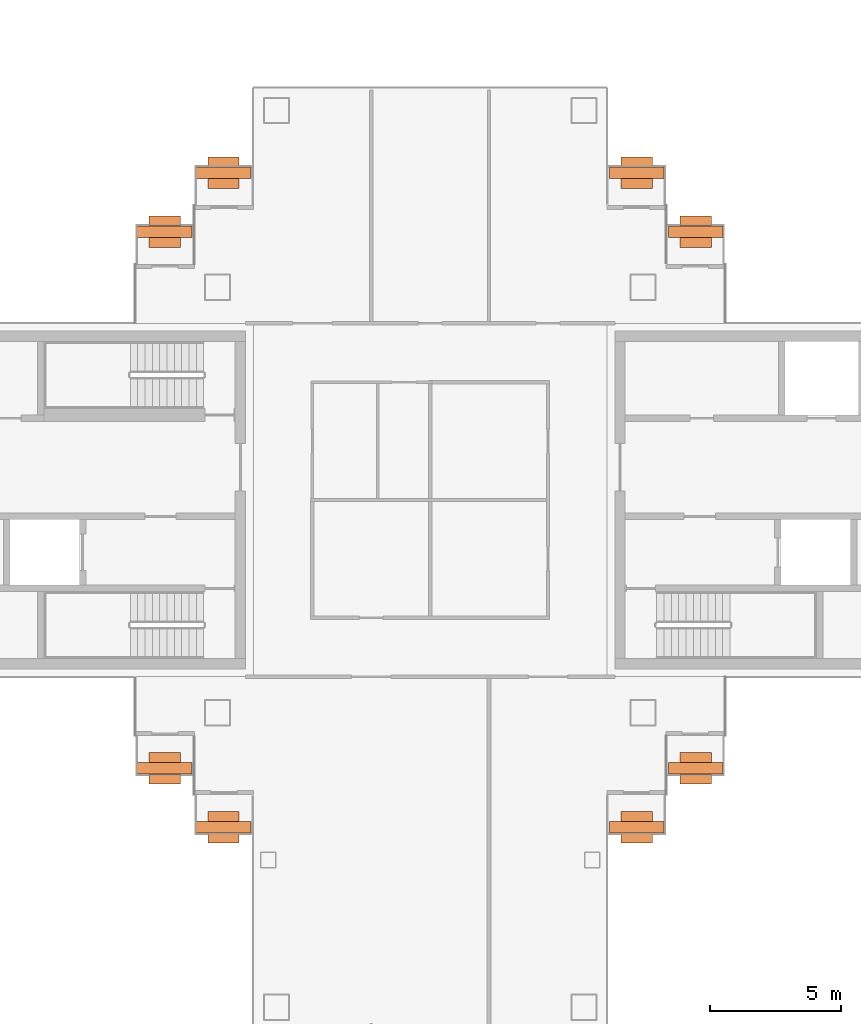
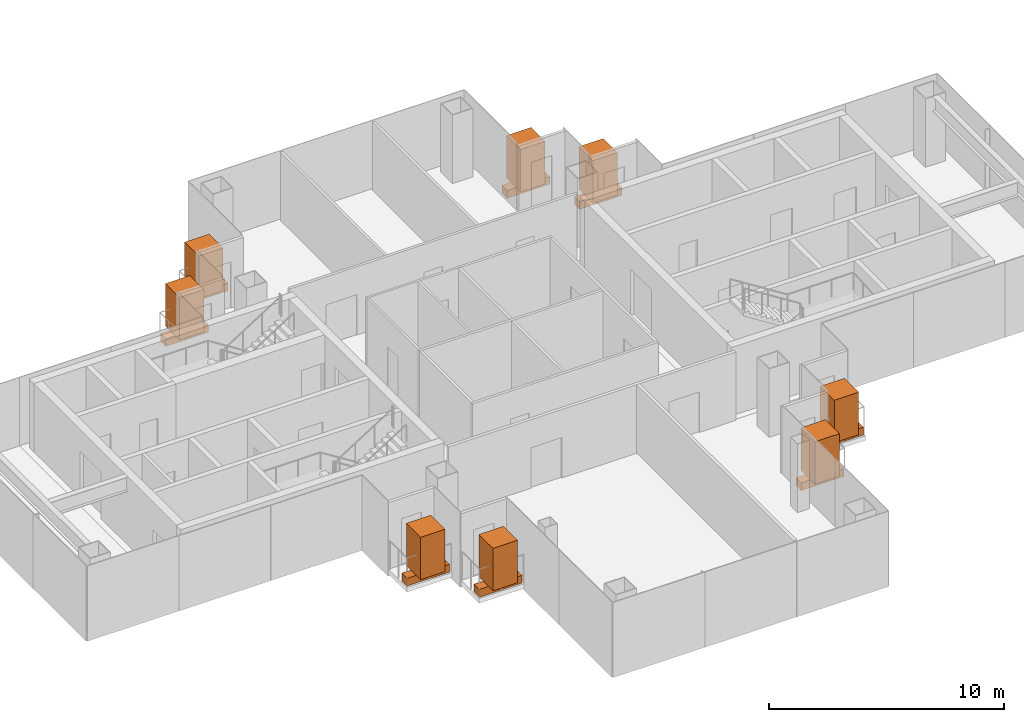
# One storey, part 15 of 15: 8 geographic elements, 8 proxies.
"""IFC4 building model written with IfcOpenShell, lengths in metres."""

from ifc_helpers import new_model, si_unit, direction, frame, origin, origin_2d, place, context, subcontext, project, spatial, rectangle, extrude, material, type_object, element, save


model = new_model("IFC4")

# Units and contexts
model_context = context("Model", 3, precision=1e-05, world=origin(), true_north=direction((0.0, 1.0)))
body_context = subcontext(model_context, "Body", "Model", "MODEL_VIEW")
ifc_project = project(units=[si_unit("LENGTHUNIT", "METRE"), si_unit("AREAUNIT", "SQUARE_METRE"), si_unit("VOLUMEUNIT", "CUBIC_METRE"), si_unit("PLANEANGLEUNIT", "RADIAN"), si_unit("MASSUNIT", "GRAM", prefix="KILO")], contexts=[model_context])

# Site, building, storey
site_placement = place(None, origin())
site = spatial("IfcSite", under=ifc_project, at=site_placement, CompositionType="ELEMENT")
building_placement = place(site_placement, origin())
building = spatial("IfcBuilding", under=site, at=building_placement, Name="Shamsa Quay Exchange Towers", CompositionType="ELEMENT")
storey_placement = place(building_placement, frame((0.0, 0.0, 202.199951171875)))
storey = spatial("IfcBuildingStorey", under=building, at=storey_placement, Name="L48", CompositionType="ELEMENT", Elevation=202.199951171875)

# Proxies
ifc_material_1 = material(Name="Reinforced concrete C30/37, black glass-fibre faced", Category="concrete")
building_element_proxy_type = type_object("IfcBuildingElementProxyType", Name="BALCONY PLANTER", PredefinedType="USERDEFINED", material=ifc_material_1)
for number, where, z_axis, x_axis, name in (
    (1, (-23.60595703125, 10.2451171875, 0.0), (0.0, 0.0, 1.0), (-1.0, 0.0, 0.0), "PLANTER T1-PKEN L48"),
    (2, (-25.85595703125, 12.4951171875, 0.0), (0.0, 0.0, 1.0), (-1.0, 0.0, 0.0), "PLANTER T1-PKEN L48"),
):
    element("IfcBuildingElementProxy", number, at=place(storey_placement, frame(where, z_axis=z_axis, x_axis=x_axis)), inside=storey, type_object=building_element_proxy_type, Name=name, ObjectType="PLANTER", PredefinedType="USERDEFINED", context=body_context, shape_type="SweptSolid", body=[
        extrude(rectangle(XDim=2.092041015625, YDim=0.449951171875, at=origin_2d()), origin(), (0.0, 0.0, 1.0), 0.39990234375),
    ])
for number, where, name in (
    (3, (-23.60595703125, -10.2451171875, 0.0), "PLANTER T1-PKES L48"),
    (4, (-25.85595703125, -12.4951171875, 0.0), "PLANTER T1-PKES L48"),
):
    element("IfcBuildingElementProxy", number, at=place(storey_placement, frame(where)), inside=storey, type_object=building_element_proxy_type, Name=name, ObjectType="PLANTER", PredefinedType="USERDEFINED", context=body_context, shape_type="SweptSolid", body=[
        extrude(rectangle(XDim=2.092041015625, YDim=0.449951171875, at=origin_2d()), origin(), (0.0, 0.0, 1.0), 0.39990234375),
    ])
for number, where, z_axis, x_axis, name in (
    (5, (-41.64404296875, 12.4951171875, 0.0), (0.0, 0.0, 1.0), (-1.0, 0.0, 0.0), "PLANTER T1-PKWN L48"),
    (6, (-43.89404296875, 10.2451171875, 0.0), (0.0, 0.0, 1.0), (-1.0, 0.0, 0.0), "PLANTER T1-PKWN L48"),
):
    element("IfcBuildingElementProxy", number, at=place(storey_placement, frame(where, z_axis=z_axis, x_axis=x_axis)), inside=storey, type_object=building_element_proxy_type, Name=name, ObjectType="PLANTER", PredefinedType="USERDEFINED", context=body_context, shape_type="SweptSolid", body=[
        extrude(rectangle(XDim=2.092041015625, YDim=0.449951171875, at=origin_2d()), origin(), (0.0, 0.0, 1.0), 0.39990234375),
    ])
for number, where, name in (
    (7, (-43.89404296875, -10.2451171875, 0.0), "PLANTER T1-PKWS L48"),
    (8, (-41.64404296875, -12.4951171875, 0.0), "PLANTER T1-PKWS L48"),
):
    element("IfcBuildingElementProxy", number, at=place(storey_placement, frame(where)), inside=storey, type_object=building_element_proxy_type, Name=name, ObjectType="PLANTER", PredefinedType="USERDEFINED", context=body_context, shape_type="SweptSolid", body=[
        extrude(rectangle(XDim=2.092041015625, YDim=0.449951171875, at=origin_2d()), origin(), (0.0, 0.0, 1.0), 0.39990234375),
    ])

# Geographic elements
ifc_material_2 = material(Name="Planting")
geographic_element_type = type_object("IfcGeographicElementType", Name="BALCONY TREE", PredefinedType="USERDEFINED", material=ifc_material_2)
for number, where, z_axis, x_axis, name in (
    (9, (-23.60595703125, 10.2451171875, 0.39990234375), (0.0, 0.0, 1.0), (-1.0, 0.0, 0.0), "TREE T1-PKEN L48"),
    (10, (-25.85595703125, 12.4951171875, 0.39990234375), (0.0, 0.0, 1.0), (-1.0, 0.0, 0.0), "TREE T1-PKEN L48"),
):
    element("IfcGeographicElement", number, at=place(storey_placement, frame(where, z_axis=z_axis, x_axis=x_axis)), inside=storey, type_object=geographic_element_type, Name=name, ObjectType="TREE", PredefinedType="USERDEFINED", context=body_context, shape_type="SweptSolid", body=[
        extrude(rectangle(XDim=1.199951171875, YDim=1.199951171875, at=origin_2d()), origin(), (0.0, 0.0, 1.0), 2.199951171875),
    ])
for number, where, name in (
    (11, (-23.60595703125, -10.2451171875, 0.39990234375), "TREE T1-PKES L48"),
    (12, (-25.85595703125, -12.4951171875, 0.39990234375), "TREE T1-PKES L48"),
):
    element("IfcGeographicElement", number, at=place(storey_placement, frame(where)), inside=storey, type_object=geographic_element_type, Name=name, ObjectType="TREE", PredefinedType="USERDEFINED", context=body_context, shape_type="SweptSolid", body=[
        extrude(rectangle(XDim=1.199951171875, YDim=1.199951171875, at=origin_2d()), origin(), (0.0, 0.0, 1.0), 2.199951171875),
    ])
for number, where, z_axis, x_axis, name in (
    (13, (-41.64404296875, 12.4951171875, 0.39990234375), (0.0, 0.0, 1.0), (-1.0, 0.0, 0.0), "TREE T1-PKWN L48"),
    (14, (-43.89404296875, 10.2451171875, 0.39990234375), (0.0, 0.0, 1.0), (-1.0, 0.0, 0.0), "TREE T1-PKWN L48"),
):
    element("IfcGeographicElement", number, at=place(storey_placement, frame(where, z_axis=z_axis, x_axis=x_axis)), inside=storey, type_object=geographic_element_type, Name=name, ObjectType="TREE", PredefinedType="USERDEFINED", context=body_context, shape_type="SweptSolid", body=[
        extrude(rectangle(XDim=1.199951171875, YDim=1.199951171875, at=origin_2d()), origin(), (0.0, 0.0, 1.0), 2.199951171875),
    ])
for number, where, name in (
    (15, (-43.89404296875, -10.2451171875, 0.39990234375), "TREE T1-PKWS L48"),
    (16, (-41.64404296875, -12.4951171875, 0.39990234375), "TREE T1-PKWS L48"),
):
    element("IfcGeographicElement", number, at=place(storey_placement, frame(where)), inside=storey, type_object=geographic_element_type, Name=name, ObjectType="TREE", PredefinedType="USERDEFINED", context=body_context, shape_type="SweptSolid", body=[
        extrude(rectangle(XDim=1.199951171875, YDim=1.199951171875, at=origin_2d()), origin(), (0.0, 0.0, 1.0), 2.199951171875),
    ])

save(model, "model.ifc")
